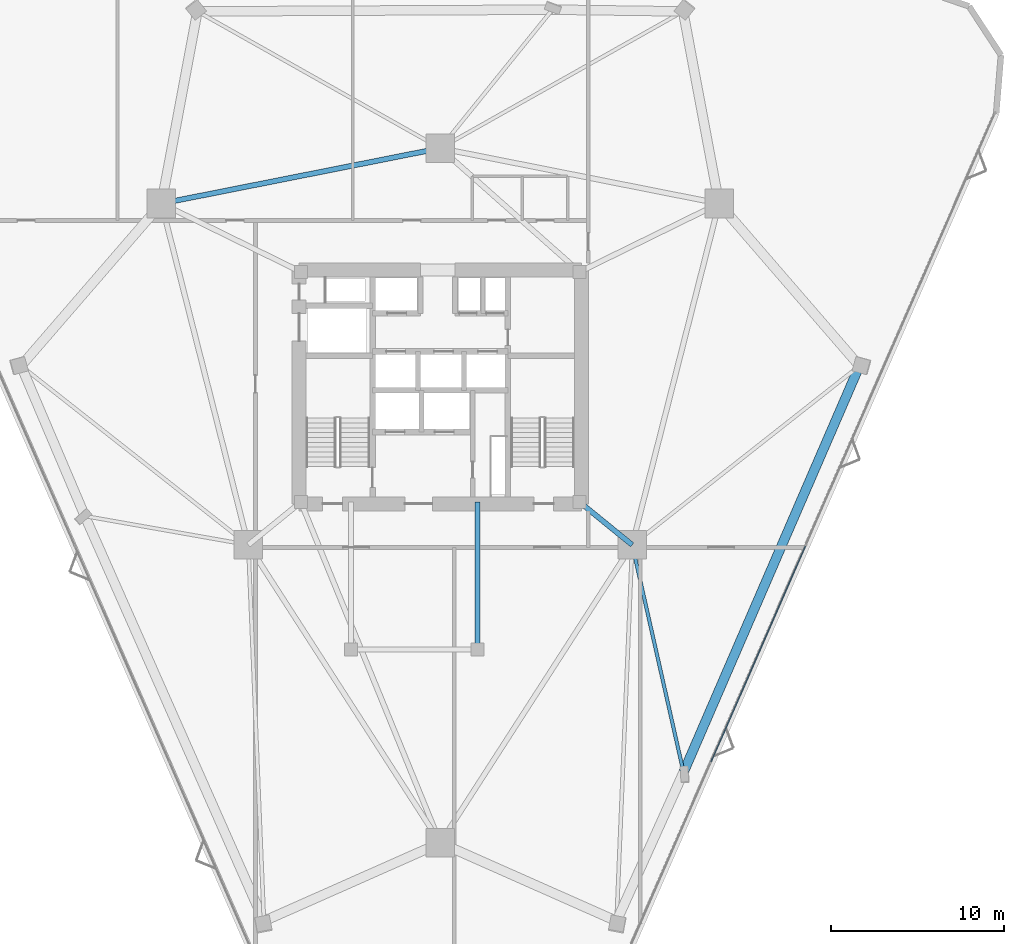
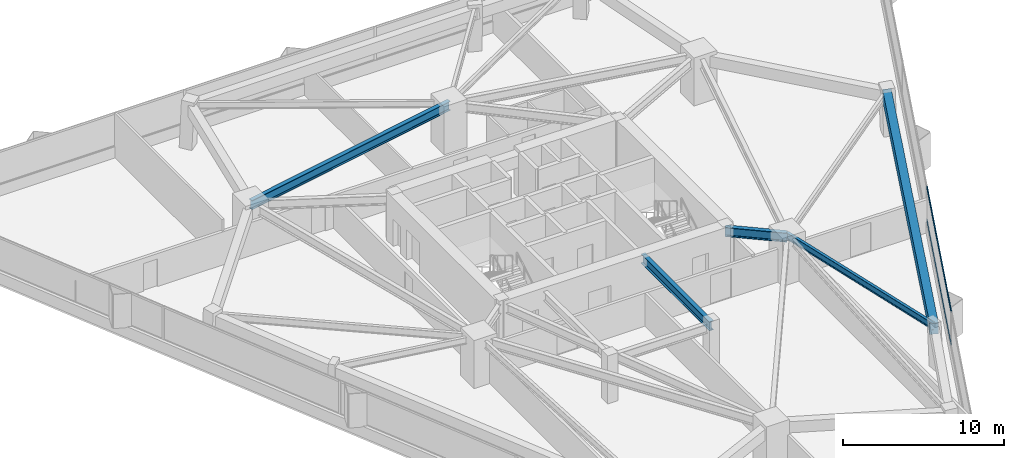
# One storey, part 9 of 20: 5 beams, 2 members, 1 element without a shape of its own.
"""IFC4 building model written with IfcOpenShell, lengths in metres."""

import ifcopenshell
import ifcopenshell.guid

model = None  # the IFC model being written
_history = None  # IfcOwnerHistory: only IFC2X3 demands one
_inside = {}  # id of a spatial element -> (the spatial element, [elements in it])
_under = {}  # id of a project, library or spatial element -> (it, [spatial elements below it])
_declared = {}  # id of a project -> (the project, [libraries it declares])
_typed = {}  # id of a type object -> (the type object, [elements of that type])
_made_of = {}  # id of a material, layer set ... -> (it, [elements and type objects made of it])


def new_model(schema):
    """Start an empty IFC model of exactly this schema.

    Asked for "IFC4X3", IfcOpenShell would pick the latest addendum, in which some entities
    have other attributes; the version numbers below select the first issue.
    IFC2X3 requires an IfcOwnerHistory on every rooted entity: one is made here for all.
    """
    global model, _history
    if schema == "IFC4X3":
        model = ifcopenshell.file(schema_version=(4, 3, 0, 0))
    else:
        model = ifcopenshell.file(schema=schema)
    _inside.clear()
    _under.clear()
    _declared.clear()
    _typed.clear()
    _made_of.clear()
    _history = None
    if model.schema == "IFC2X3":
        org = make("IfcOrganization", Name="unknown")
        user = make(
            "IfcPersonAndOrganization",
            ThePerson=make("IfcPerson", FamilyName="unknown"),
            TheOrganization=org,
        )
        app = make(
            "IfcApplication",
            ApplicationDeveloper=org,
            Version="unknown",
            ApplicationFullName="unknown",
            ApplicationIdentifier="unknown",
        )
        _history = make(
            "IfcOwnerHistory",
            OwningUser=user,
            OwningApplication=app,
            ChangeAction="ADDED",
            CreationDate=0,
        )
    return model


def make(cls, **values):
    """One entity of the class cls with the attributes given. An attribute that is None is left unset."""
    return model.create_entity(
        cls, **{name: value for name, value in values.items() if value is not None}
    )


def rooted(cls, **values):
    """An entity with a GlobalId (a new one), such as an element, a storey or a relation."""
    return make(cls, GlobalId=ifcopenshell.guid.new(), OwnerHistory=_history, **values)


def si_unit(unit_type, name, prefix=None):
    """IfcSIUnit, for example si_unit("LENGTHUNIT", "METRE", prefix="MILLI")."""
    return make("IfcSIUnit", UnitType=unit_type, Prefix=prefix, Name=name)


def assignment(units):
    """IfcUnitAssignment: the units of a project."""
    return None if units is None else make("IfcUnitAssignment", Units=units)


def point(xyz):
    """IfcCartesianPoint."""
    return None if xyz is None else make("IfcCartesianPoint", Coordinates=xyz)


def direction(xyz):
    """IfcDirection."""
    return None if xyz is None else make("IfcDirection", DirectionRatios=xyz)


def frame(location, z_axis=None, x_axis=None):
    """IfcAxis2Placement3D, a coordinate frame: its origin and axes. An axis left out is left unset."""
    return make(
        "IfcAxis2Placement3D",
        Location=point(location),
        Axis=direction(z_axis),
        RefDirection=direction(x_axis),
    )


def frame_2d(location, x_axis=None):
    """IfcAxis2Placement2D, a coordinate frame in the plane: its origin and x axis."""
    return make(
        "IfcAxis2Placement2D", Location=point(location), RefDirection=direction(x_axis)
    )


def origin():
    """The frame at (0, 0, 0) with its axes left unset."""
    return frame((0.0, 0.0, 0.0))


def origin_2d():
    """The frame at (0, 0) in the plane with its x axis left unset."""
    return frame_2d((0.0, 0.0))


def place(relative_to, where):
    """IfcLocalPlacement: puts the frame where relative to a parent placement (None: the world)."""
    return make(
        "IfcLocalPlacement", PlacementRelTo=relative_to, RelativePlacement=where
    )


def context(
    kind, dimensions, precision=None, world=None, true_north=None, identifier=None
):
    """IfcGeometricRepresentationContext, for example the 3D "Model" context."""
    return make(
        "IfcGeometricRepresentationContext",
        ContextIdentifier=identifier,
        ContextType=kind,
        CoordinateSpaceDimension=dimensions,
        Precision=precision,
        WorldCoordinateSystem=world,
        TrueNorth=true_north,
    )


def subcontext(parent, identifier, kind, view, scale=None):
    """IfcGeometricRepresentationSubContext, for example "Body" below "Model"."""
    return make(
        "IfcGeometricRepresentationSubContext",
        ContextIdentifier=identifier,
        ContextType=kind,
        ParentContext=parent,
        TargetScale=scale,
        TargetView=view,
    )


def project(units=None, contexts=None):
    """IfcProject with its units and contexts."""
    return rooted(
        "IfcProject",
        Name="project",
        RepresentationContexts=contexts,
        UnitsInContext=assignment(units),
    )


def spatial(cls, under=None, at=None, **own):
    """A site, building, storey or space (cls), placed at a placement, below another one or the project."""
    s = rooted(cls, ObjectPlacement=at, **own)
    if under is not None:
        _under.setdefault(under.id(), (under, []))[1].append(s)
    return s


def profile(cls, at=None, kind="AREA", **sizes):
    """A parametric profile (cls). Its sizes go by their IFC names, for example OverallWidth=200.0."""
    return make(cls, ProfileType=kind, Position=at, **sizes)


def rectangle(**sizes):
    """IfcRectangleProfileDef."""
    return profile("IfcRectangleProfileDef", **sizes)


def i_section(**sizes):
    """IfcIShapeProfileDef."""
    return profile("IfcIShapeProfileDef", **sizes)


def extrude(swept, where, along, depth):
    """IfcExtrudedAreaSolid: the profile swept, set in the frame where, extruded along a direction by depth."""
    return make(
        "IfcExtrudedAreaSolid",
        SweptArea=swept,
        Position=where,
        ExtrudedDirection=direction(along),
        Depth=depth,
    )


def shape(context_of_items, identifier, shape_type, items):
    """IfcShapeRepresentation: the items that make up one representation, for example the "Body"."""
    return make(
        "IfcShapeRepresentation",
        ContextOfItems=context_of_items,
        RepresentationIdentifier=identifier,
        RepresentationType=shape_type,
        Items=items,
    )


def material(Name=None, Category=None):
    """IfcMaterial."""
    return make("IfcMaterial", Name=Name, Category=Category)


def layer(
    of_material, thickness, ventilated=None, Name=None, Category=None, Priority=None
):
    """IfcMaterialLayer: one layer of a wall or slab, of a material (None: an air gap)."""
    return make(
        "IfcMaterialLayer",
        Material=of_material,
        LayerThickness=thickness,
        IsVentilated=ventilated,
        Name=Name,
        Category=Category,
        Priority=Priority,
    )


def layer_set(layers, Name=None):
    """IfcMaterialLayerSet."""
    return make("IfcMaterialLayerSet", MaterialLayers=layers, LayerSetName=Name)


def material_profile(
    of_material, cross_section, Name=None, Category=None, Priority=None
):
    """IfcMaterialProfile: a cross section and its material."""
    return make(
        "IfcMaterialProfile",
        Name=Name,
        Material=of_material,
        Profile=cross_section,
        Priority=Priority,
        Category=Category,
    )


def profile_set(profiles, Name=None, composite=None):
    """IfcMaterialProfileSet."""
    return make(
        "IfcMaterialProfileSet",
        Name=Name,
        MaterialProfiles=profiles,
        CompositeProfile=composite,
    )


def made_of(thing, what):
    """Note that an element or type object is made of a material, layer set ...; save() writes the relation."""
    if what is not None:
        _made_of.setdefault(what.id(), (what, []))[1].append(thing)
    return thing


def type_object(cls, material=None, **own):
    """A type object (cls), such as IfcWallType, which elements share."""
    return made_of(rooted(cls, **own), material)


def element(
    cls,
    number,
    at=None,
    inside=None,
    cuts=None,
    type_object=None,
    material=None,
    context=None,
    identifier="Body",
    shape_type=None,
    held_by="IfcProductDefinitionShape",
    body=None,
    shapes=None,
    **own,
):
    """One element of the class cls, such as IfcWall. Its Tag is "e" and its number.

    at: its placement. inside: the storey or other place that contains it. cuts: it is an
    opening in that element (IfcRelVoidsElement). A single representation is given by context,
    identifier, shape_type and body (its items); several are given by shapes. held_by: the class
    of the entity that holds the representations. save() writes the other relations.
    """
    e = rooted(cls, Tag="e%d" % number, ObjectPlacement=at, **own)
    if body is not None:
        shapes = [shape(context, identifier, shape_type, body)]
    if shapes is not None:
        e.Representation = make(held_by, Representations=shapes)
    if inside is not None:
        _inside.setdefault(inside.id(), (inside, []))[1].append(e)
    if cuts is not None:
        rooted(
            "IfcRelVoidsElement", RelatingBuildingElement=cuts, RelatedOpeningElement=e
        )
    if type_object is not None:
        _typed.setdefault(type_object.id(), (type_object, []))[1].append(e)
    return made_of(e, material)


def aggregate(whole, parts):
    """IfcRelAggregates: a whole, such as a stair, and the parts it consists of."""
    return rooted("IfcRelAggregates", RelatingObject=whole, RelatedObjects=parts)


def save(model, path):
    """Write the relations noted so far, then the file.

    IfcRelAggregates (storeys below a building ...), IfcRelContainedInSpatialStructure (elements
    in a storey), IfcRelDefinesByType, IfcRelAssociatesMaterial and IfcRelDeclares: one each for
    every whole, place, type object, material and project.
    """
    for whole, parts in _under.values():
        aggregate(whole, parts)
    for where, things in _inside.values():
        rooted(
            "IfcRelContainedInSpatialStructure",
            RelatedElements=things,
            RelatingStructure=where,
        )
    for kind, things in _typed.values():
        rooted("IfcRelDefinesByType", RelatedObjects=things, RelatingType=kind)
    for what, things in _made_of.values():
        rooted("IfcRelAssociatesMaterial", RelatedObjects=things, RelatingMaterial=what)
    for by, libraries in _declared.values():
        rooted("IfcRelDeclares", RelatingContext=by, RelatedDefinitions=libraries)
    model.write(path)


model = new_model("IFC4")

# Units and contexts
model_context = context("Model", 3, precision=1e-05, world=origin(), true_north=direction((0.0, 1.0)))
body_context = subcontext(model_context, "Body", "Model", "MODEL_VIEW")
ifc_project = project(units=[si_unit("LENGTHUNIT", "METRE"), si_unit("AREAUNIT", "SQUARE_METRE"), si_unit("VOLUMEUNIT", "CUBIC_METRE"), si_unit("PLANEANGLEUNIT", "RADIAN"), si_unit("MASSUNIT", "GRAM", prefix="KILO")], contexts=[model_context])

# Site, building, storey
site_placement = place(None, origin())
site = spatial("IfcSite", under=ifc_project, at=site_placement, CompositionType="ELEMENT")
building_placement = place(site_placement, origin())
building = spatial("IfcBuilding", under=site, at=building_placement, Name="Talyreon Biosciences Tower", CompositionType="ELEMENT")
storey_placement = place(building_placement, frame((0.0, 0.0, 75.0)))
storey = spatial("IfcBuildingStorey", under=building, at=storey_placement, Name="L19", CompositionType="ELEMENT", Elevation=75.0)

# Curtain wall, members
ifc_material_1 = material(Name="Thermally broken aluminium and low-E glazing", Category="aluminium")
ifc_layer = layer(ifc_material_1, 0.18994140625)
ifc_layer_set = layer_set([ifc_layer], Name="Thermally broken aluminium and low-E glazing")
curtain_wall_type = type_object("IfcCurtainWallType", Name="CurtainWall_Zone2Genomics", PredefinedType="NOTDEFINED", material=ifc_layer_set)
curtain_wall_placement = place(storey_placement, origin())
curtain_wall = element("IfcCurtainWall", 1, at=curtain_wall_placement, inside=storey, type_object=curtain_wall_type, Name="L19 Unitised Curtain Wall FCW-L19-08", PredefinedType="NOTDEFINED")
ifc_material_2 = material(Name="Anodised thermally broken aluminium", Category="aluminium")
ifc_material_profile_1 = material_profile(ifc_material_2, rectangle(XDim=0.06494140625, YDim=0.139892578125, at=origin_2d()), Name="ALUM TRANSOM 65x140")
ifc_profile_set_1 = profile_set([ifc_material_profile_1], Name="Anodised thermally broken aluminium")
member_type = type_object("IfcMemberType", Name="CWTransom_65x140", PredefinedType="USERDEFINED", material=ifc_profile_set_1)
member_1_placement = place(storey_placement, frame((87.087646484375, 58.80029296875, 0.842529296875), z_axis=(-0.40082449197, -0.916154859528, 0.0), x_axis=(0.916154859528, -0.40082449197, 0.0)))
member_1 = element("IfcMember", 2, at=member_1_placement, type_object=member_type, Name="CW3 transom 3.1", ObjectType="TRANSOM", PredefinedType="USERDEFINED", context=body_context, shape_type="SweptSolid", body=[
    extrude(rectangle(XDim=0.06494140625, YDim=0.139892578125, at=origin_2d()), origin(), (0.0, 0.0, 1.0), 13.58154296875),
])
member_2_placement = place(storey_placement, frame((87.087646484375, 58.80029296875, 3.342529296875), z_axis=(-0.40082449197, -0.916154859528, 0.0), x_axis=(0.916154859528, -0.40082449197, 0.0)))
member_2 = element("IfcMember", 3, at=member_2_placement, type_object=member_type, Name="CW3 transom 3.2", ObjectType="TRANSOM", PredefinedType="USERDEFINED", context=body_context, shape_type="SweptSolid", body=[
    extrude(rectangle(XDim=0.06494140625, YDim=0.139892578125, at=origin_2d()), origin(), (0.0, 0.0, 1.0), 13.58154296875),
])
aggregate(curtain_wall, [member_1, member_2])

# Beams
ifc_material_3 = material(Name="Precast concrete C45/55", Category="concrete")
ifc_material_profile_2 = material_profile(ifc_material_3, rectangle(XDim=0.550048828125, YDim=0.85009765625, at=origin_2d()), Name="RCB 550x850")
ifc_profile_set_2 = profile_set([ifc_material_profile_2], Name="Precast concrete C45/55")
beam_type_1 = type_object("IfcBeamType", Name="ExpressedSpandrel_550x850", PredefinedType="SPANDREL", material=ifc_profile_set_2)
beam_1_placement = place(storey_placement, frame((80.052001953125, 45.74560546875, 2.949951171875), z_axis=(0.397156292267, 0.917750989927, 0.0), x_axis=(-0.917750989927, 0.397156292267, 0.0)))
element("IfcBeam", 4, at=beam_1_placement, inside=storey, type_object=beam_type_1, Name="L19 Expressed Horizontal Concrete Spandrel 03", PredefinedType="SPANDREL", context=body_context, shape_type="SweptSolid", body=[
    extrude(rectangle(XDim=0.550048828125, YDim=0.85009765625, at=origin_2d()), origin(), (0.0, 0.0, 1.0), 25.577392578125),
])
ifc_material_4 = material(Name="Steel SM355", Category="steel")
ifc_material_profile_3 = material_profile(ifc_material_4, i_section(OverallWidth=0.300048828125, OverallDepth=0.699951171875, WebThickness=0.01708984375, FlangeThickness=0.031982421875, FilletRadius=0.027099609375, at=origin_2d()), Name="HE700B")
ifc_profile_set_3 = profile_set([ifc_material_profile_3], Name="Steel SM355")
beam_type_2 = type_object("IfcBeamType", Name="SteelGirder_HE700B", PredefinedType="BEAM", material=ifc_profile_set_3)
beam_2_placement = place(storey_placement, frame((66.0, 81.788818359375, 3.02490234375), z_axis=(-0.980933730698, -0.194342522311, 0.0), x_axis=(0.194342522311, -0.980933730698, 0.0)))
element("IfcBeam", 5, at=beam_2_placement, inside=storey, type_object=beam_type_2, Name="L19 Mega-Ring Girder 4", PredefinedType="BEAM", context=body_context, shape_type="SweptSolid", body=[
    extrude(i_section(OverallWidth=0.300048828125, OverallDepth=0.699951171875, WebThickness=0.01708984375, FlangeThickness=0.031982421875, FilletRadius=0.027099609375, at=origin_2d()), origin(), (0.0, 0.0, 1.0), 16.415283203125),
])
beam_3_placement = place(storey_placement, frame((74.050048828125, 61.35009765625, 3.02490234375), z_axis=(0.775755154013, -0.631034025249, 0.0), x_axis=(0.631034025249, 0.775755154013, 0.0)))
element("IfcBeam", 6, at=beam_3_placement, inside=storey, type_object=beam_type_2, Name="L19 Radial Primary Girder 2", PredefinedType="BEAM", context=body_context, shape_type="SweptSolid", body=[
    extrude(i_section(OverallWidth=0.300048828125, OverallDepth=0.699951171875, WebThickness=0.01708984375, FlangeThickness=0.031982421875, FilletRadius=0.027099609375, at=origin_2d()), origin(), (0.0, 0.0, 1.0), 3.913818359375),
])
beam_4_placement = place(storey_placement, frame((68.14990234375, 52.840087890625, 3.02490234375), z_axis=(0.0, 1.0, 0.0), x_axis=(-1.0, 0.0, 0.0)))
element("IfcBeam", 7, at=beam_4_placement, inside=storey, type_object=beam_type_2, Name="L19 Crown Shaft Tie Girder E", PredefinedType="BEAM", context=body_context, shape_type="SweptSolid", body=[
    extrude(i_section(OverallWidth=0.300048828125, OverallDepth=0.699951171875, WebThickness=0.01708984375, FlangeThickness=0.031982421875, FilletRadius=0.027099609375, at=origin_2d()), origin(), (0.0, 0.0, 1.0), 8.510009765625),
])
ifc_material_profile_4 = material_profile(ifc_material_4, i_section(OverallWidth=0.199951171875, OverallDepth=0.5, WebThickness=0.01025390625, FlangeThickness=0.01611328125, FilletRadius=0.02099609375, at=origin_2d()), Name="IPE500")
ifc_profile_set_4 = profile_set([ifc_material_profile_4], Name="Steel SM355")
beam_type_3 = type_object("IfcBeamType", Name="SteelJoist_IPE500", PredefinedType="JOIST", material=ifc_profile_set_4)
beam_5_placement = place(storey_placement, frame((77.086181640625, 58.88037109375, 3.125), z_axis=(0.220254193513, -0.975442509961, 0.0), x_axis=(0.975442509961, 0.220254193513, 0.0)))
element("IfcBeam", 8, at=beam_5_placement, inside=storey, type_object=beam_type_3, Name="L19 Radial Composite Floor Joist PL-SE", PredefinedType="JOIST", context=body_context, shape_type="SweptSolid", body=[
    extrude(i_section(OverallWidth=0.199951171875, OverallDepth=0.5, WebThickness=0.01025390625, FlangeThickness=0.01611328125, FilletRadius=0.02099609375, at=origin_2d()), origin(), (0.0, 0.0, 1.0), 13.46533203125),
])

save(model, "model.ifc")
